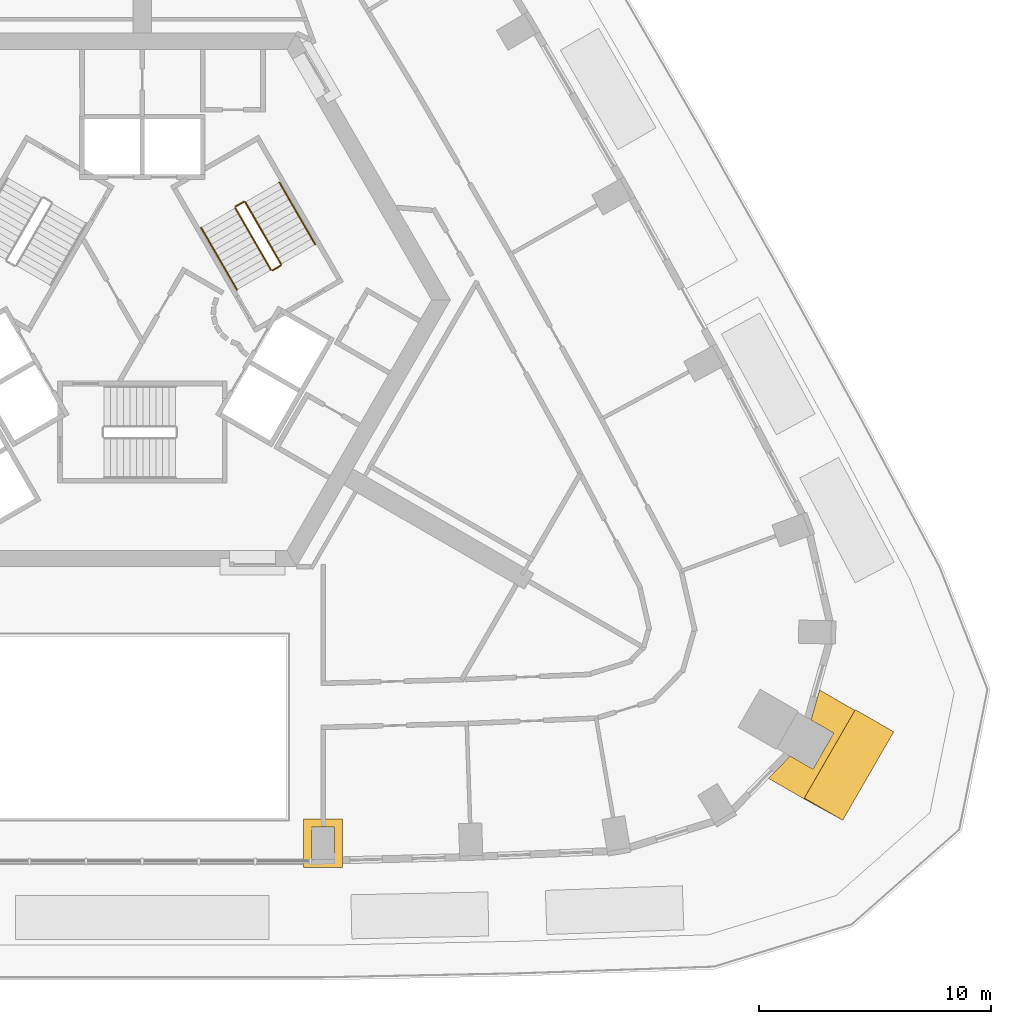
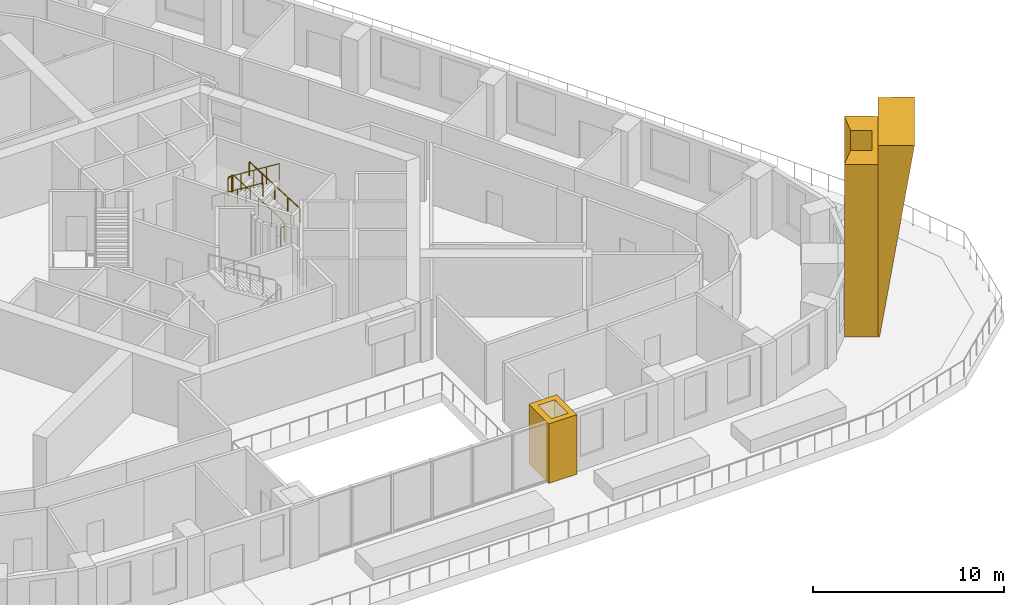
# One storey, part 12 of 13: 6 railings, 3 coverings.
"""IFC4 building model written with IfcOpenShell, lengths in metres."""

import ifcopenshell
import ifcopenshell.guid

model = None  # the IFC model being written
_history = None  # IfcOwnerHistory: only IFC2X3 demands one
_inside = {}  # id of a spatial element -> (the spatial element, [elements in it])
_under = {}  # id of a project, library or spatial element -> (it, [spatial elements below it])
_declared = {}  # id of a project -> (the project, [libraries it declares])
_typed = {}  # id of a type object -> (the type object, [elements of that type])
_made_of = {}  # id of a material, layer set ... -> (it, [elements and type objects made of it])


def new_model(schema):
    """Start an empty IFC model of exactly this schema.

    Asked for "IFC4X3", IfcOpenShell would pick the latest addendum, in which some entities
    have other attributes; the version numbers below select the first issue.
    IFC2X3 requires an IfcOwnerHistory on every rooted entity: one is made here for all.
    """
    global model, _history
    if schema == "IFC4X3":
        model = ifcopenshell.file(schema_version=(4, 3, 0, 0))
    else:
        model = ifcopenshell.file(schema=schema)
    _inside.clear()
    _under.clear()
    _declared.clear()
    _typed.clear()
    _made_of.clear()
    _history = None
    if model.schema == "IFC2X3":
        org = make("IfcOrganization", Name="unknown")
        user = make(
            "IfcPersonAndOrganization",
            ThePerson=make("IfcPerson", FamilyName="unknown"),
            TheOrganization=org,
        )
        app = make(
            "IfcApplication",
            ApplicationDeveloper=org,
            Version="unknown",
            ApplicationFullName="unknown",
            ApplicationIdentifier="unknown",
        )
        _history = make(
            "IfcOwnerHistory",
            OwningUser=user,
            OwningApplication=app,
            ChangeAction="ADDED",
            CreationDate=0,
        )
    return model


def make(cls, **values):
    """One entity of the class cls with the attributes given. An attribute that is None is left unset."""
    return model.create_entity(
        cls, **{name: value for name, value in values.items() if value is not None}
    )


def rooted(cls, **values):
    """An entity with a GlobalId (a new one), such as an element, a storey or a relation."""
    return make(cls, GlobalId=ifcopenshell.guid.new(), OwnerHistory=_history, **values)


def si_unit(unit_type, name, prefix=None):
    """IfcSIUnit, for example si_unit("LENGTHUNIT", "METRE", prefix="MILLI")."""
    return make("IfcSIUnit", UnitType=unit_type, Prefix=prefix, Name=name)


def assignment(units):
    """IfcUnitAssignment: the units of a project."""
    return None if units is None else make("IfcUnitAssignment", Units=units)


def point(xyz):
    """IfcCartesianPoint."""
    return None if xyz is None else make("IfcCartesianPoint", Coordinates=xyz)


def direction(xyz):
    """IfcDirection."""
    return None if xyz is None else make("IfcDirection", DirectionRatios=xyz)


def frame(location, z_axis=None, x_axis=None):
    """IfcAxis2Placement3D, a coordinate frame: its origin and axes. An axis left out is left unset."""
    return make(
        "IfcAxis2Placement3D",
        Location=point(location),
        Axis=direction(z_axis),
        RefDirection=direction(x_axis),
    )


def frame_2d(location, x_axis=None):
    """IfcAxis2Placement2D, a coordinate frame in the plane: its origin and x axis."""
    return make(
        "IfcAxis2Placement2D", Location=point(location), RefDirection=direction(x_axis)
    )


def origin():
    """The frame at (0, 0, 0) with its axes left unset."""
    return frame((0.0, 0.0, 0.0))


def origin_2d():
    """The frame at (0, 0) in the plane with its x axis left unset."""
    return frame_2d((0.0, 0.0))


def place(relative_to, where):
    """IfcLocalPlacement: puts the frame where relative to a parent placement (None: the world)."""
    return make(
        "IfcLocalPlacement", PlacementRelTo=relative_to, RelativePlacement=where
    )


def context(
    kind, dimensions, precision=None, world=None, true_north=None, identifier=None
):
    """IfcGeometricRepresentationContext, for example the 3D "Model" context."""
    return make(
        "IfcGeometricRepresentationContext",
        ContextIdentifier=identifier,
        ContextType=kind,
        CoordinateSpaceDimension=dimensions,
        Precision=precision,
        WorldCoordinateSystem=world,
        TrueNorth=true_north,
    )


def subcontext(parent, identifier, kind, view, scale=None):
    """IfcGeometricRepresentationSubContext, for example "Body" below "Model"."""
    return make(
        "IfcGeometricRepresentationSubContext",
        ContextIdentifier=identifier,
        ContextType=kind,
        ParentContext=parent,
        TargetScale=scale,
        TargetView=view,
    )


def project(units=None, contexts=None):
    """IfcProject with its units and contexts."""
    return rooted(
        "IfcProject",
        Name="project",
        RepresentationContexts=contexts,
        UnitsInContext=assignment(units),
    )


def spatial(cls, under=None, at=None, **own):
    """A site, building, storey or space (cls), placed at a placement, below another one or the project."""
    s = rooted(cls, ObjectPlacement=at, **own)
    if under is not None:
        _under.setdefault(under.id(), (under, []))[1].append(s)
    return s


def polyline(points):
    """IfcPolyline through the points."""
    return make("IfcPolyline", Points=[point(p) for p in points])


def profile(cls, at=None, kind="AREA", **sizes):
    """A parametric profile (cls). Its sizes go by their IFC names, for example OverallWidth=200.0."""
    return make(cls, ProfileType=kind, Position=at, **sizes)


def circle(**sizes):
    """IfcCircleProfileDef."""
    return profile("IfcCircleProfileDef", **sizes)


def outline(outer, holes=None, kind="AREA"):
    """IfcArbitraryClosedProfileDef: a profile drawn as a closed curve; with holes, ...WithVoids."""
    if holes is None:
        return make("IfcArbitraryClosedProfileDef", ProfileType=kind, OuterCurve=outer)
    return make(
        "IfcArbitraryProfileDefWithVoids",
        ProfileType=kind,
        OuterCurve=outer,
        InnerCurves=holes,
    )


def extrude(swept, where, along, depth):
    """IfcExtrudedAreaSolid: the profile swept, set in the frame where, extruded along a direction by depth."""
    return make(
        "IfcExtrudedAreaSolid",
        SweptArea=swept,
        Position=where,
        ExtrudedDirection=direction(along),
        Depth=depth,
    )


def shape(context_of_items, identifier, shape_type, items):
    """IfcShapeRepresentation: the items that make up one representation, for example the "Body"."""
    return make(
        "IfcShapeRepresentation",
        ContextOfItems=context_of_items,
        RepresentationIdentifier=identifier,
        RepresentationType=shape_type,
        Items=items,
    )


def material(Name=None, Category=None):
    """IfcMaterial."""
    return make("IfcMaterial", Name=Name, Category=Category)


def made_of(thing, what):
    """Note that an element or type object is made of a material, layer set ...; save() writes the relation."""
    if what is not None:
        _made_of.setdefault(what.id(), (what, []))[1].append(thing)
    return thing


def type_object(cls, material=None, **own):
    """A type object (cls), such as IfcWallType, which elements share."""
    return made_of(rooted(cls, **own), material)


def element(
    cls,
    number,
    at=None,
    inside=None,
    cuts=None,
    type_object=None,
    material=None,
    context=None,
    identifier="Body",
    shape_type=None,
    held_by="IfcProductDefinitionShape",
    body=None,
    shapes=None,
    **own,
):
    """One element of the class cls, such as IfcWall. Its Tag is "e" and its number.

    at: its placement. inside: the storey or other place that contains it. cuts: it is an
    opening in that element (IfcRelVoidsElement). A single representation is given by context,
    identifier, shape_type and body (its items); several are given by shapes. held_by: the class
    of the entity that holds the representations. save() writes the other relations.
    """
    e = rooted(cls, Tag="e%d" % number, ObjectPlacement=at, **own)
    if body is not None:
        shapes = [shape(context, identifier, shape_type, body)]
    if shapes is not None:
        e.Representation = make(held_by, Representations=shapes)
    if inside is not None:
        _inside.setdefault(inside.id(), (inside, []))[1].append(e)
    if cuts is not None:
        rooted(
            "IfcRelVoidsElement", RelatingBuildingElement=cuts, RelatedOpeningElement=e
        )
    if type_object is not None:
        _typed.setdefault(type_object.id(), (type_object, []))[1].append(e)
    return made_of(e, material)


def aggregate(whole, parts):
    """IfcRelAggregates: a whole, such as a stair, and the parts it consists of."""
    return rooted("IfcRelAggregates", RelatingObject=whole, RelatedObjects=parts)


def save(model, path):
    """Write the relations noted so far, then the file.

    IfcRelAggregates (storeys below a building ...), IfcRelContainedInSpatialStructure (elements
    in a storey), IfcRelDefinesByType, IfcRelAssociatesMaterial and IfcRelDeclares: one each for
    every whole, place, type object, material and project.
    """
    for whole, parts in _under.values():
        aggregate(whole, parts)
    for where, things in _inside.values():
        rooted(
            "IfcRelContainedInSpatialStructure",
            RelatedElements=things,
            RelatingStructure=where,
        )
    for kind, things in _typed.values():
        rooted("IfcRelDefinesByType", RelatedObjects=things, RelatingType=kind)
    for what, things in _made_of.values():
        rooted("IfcRelAssociatesMaterial", RelatedObjects=things, RelatingMaterial=what)
    for by, libraries in _declared.values():
        rooted("IfcRelDeclares", RelatingContext=by, RelatedDefinitions=libraries)
    model.write(path)


model = new_model("IFC4")

# Units and contexts
model_context = context("Model", 3, precision=1e-05, world=origin(), true_north=direction((0.0, 1.0)))
body_context = subcontext(model_context, "Body", "Model", "MODEL_VIEW")
ifc_project = project(units=[si_unit("LENGTHUNIT", "METRE"), si_unit("AREAUNIT", "SQUARE_METRE"), si_unit("VOLUMEUNIT", "CUBIC_METRE"), si_unit("PLANEANGLEUNIT", "RADIAN"), si_unit("MASSUNIT", "GRAM", prefix="KILO")], contexts=[model_context])

# Site, building, storey
site_placement = place(None, origin())
site = spatial("IfcSite", under=ifc_project, at=site_placement, CompositionType="ELEMENT")
building_placement = place(site_placement, origin())
building = spatial("IfcBuilding", under=site, at=building_placement, Name="Entoto Arch Interchange Tower", CompositionType="ELEMENT")
storey_placement = place(building_placement, frame((0.0, 0.0, 189.800048828125)))
storey = spatial("IfcBuildingStorey", under=building, at=storey_placement, Name="L42", CompositionType="ELEMENT", Elevation=189.800048828125)

# Coverings
ifc_material_1 = material(Name="Board-marked precast concrete C50/60", Category="concrete")
covering_type = type_object("IfcCoveringType", Name="PRECAST FRAME COURSE", PredefinedType="CLADDING", material=ifc_material_1)
covering_1_placement = place(storey_placement, origin())
element("IfcCovering", 1, at=covering_1_placement, inside=storey, type_object=covering_type, Name="Corner pilaster SE L42-L44", PredefinedType="CLADDING", context=body_context, shape_type="SweptSolid", body=[
    extrude(outline(polyline([(30.718017578125, -15.195068359375), (28.51806640625, -19.0048828125), (26.993896484375, -18.125), (27.929931640625, -17.1650390625), (28.907958984375, -17.72900390625), (29.80810546875, -16.1708984375), (28.830078125, -15.60595703125), (29.194091796875, -14.31396484375), (30.718017578125, -15.195068359375)])), origin(), (0.0, 0.0, 1.0), 11.0),
])
covering_2_placement = place(storey_placement, frame((28.51806640625, -19.0048828125, 0.0), z_axis=(-0.499864614325, -0.866098429654, 0.002979512909), x_axis=(0.866102264773, -0.499866849187, -6.232716e-06)))
element("IfcCovering", 2, at=covering_2_placement, inside=storey, type_object=covering_type, Name="Corner rib SE L42-L44", PredefinedType="CLADDING", context=body_context, shape_type="SweptSolid", body=[
    extrude(outline(polyline([(0.0, 0.0), (0.09002978260795885, 0.0), (1.911543382908037, 12.200017239149007), (0.0010403561008787202, 12.20000477034024), (0.0, 0.0)])), origin(), (0.0, 0.0, -1.0), 4.39990234375),
])
covering_3_placement = place(storey_placement, origin())
element("IfcCovering", 3, at=covering_3_placement, inside=storey, type_object=covering_type, Name="Gate pier L42", PredefinedType="CLADDING", context=body_context, shape_type="SweptSolid", body=[
    extrude(outline(polyline([(6.93798828125, -19.876953125), (8.637939453125, -19.876953125), (8.637939453125, -21.97705078125), (6.93798828125, -21.97705078125), (6.93798828125, -19.876953125)]), holes=[polyline([(7.2880859375, -20.22705078125), (7.2880859375, -21.626953125), (8.2880859375, -21.626953125), (8.2880859375, -20.22705078125), (7.2880859375, -20.22705078125)])]), origin(), (0.0, 0.0, 1.0), 3.800048828125),
])

# Railings
ifc_material_2 = material(Name="Stainless steel 1.4301", Category="steel")
railing_type_1 = type_object("IfcRailingType", Name="STAIR GUARD 1100 STEEL", PredefinedType="GUARDRAIL", material=ifc_material_2)
railing_1_placement = place(storey_placement, frame((5.977783203125, 4.046142578125, 0.175048828125)))
element("IfcRailing", 4, at=railing_1_placement, inside=storey, type_object=railing_type_1, Name="L42 ST-NE stair guard 1", PredefinedType="GUARDRAIL", context=body_context, shape_type="SweptSolid", body=[
    extrude(circle(Radius=0.02392578125, at=origin_2d()), frame((0.0, 0.0, 1.076171875), z_axis=(-0.42403051051, 0.734390191396, 0.529970917068), x_axis=(-0.866010015463, -0.500026652407, 0.0)), (0.0, 0.0, 1.0), 3.6318359375),
    extrude(circle(Radius=0.02099609375, at=origin_2d()), origin(), (0.0, 0.0, 1.0), 1.052001953125),
    extrude(circle(Radius=0.02099609375, at=origin_2d()), frame((-0.385009765625, 0.666748046875, 0.481201171875)), (0.0, 0.0, 1.0), 1.052001953125),
    extrude(circle(Radius=0.02099609375, at=origin_2d()), frame((-0.77001953125, 1.33349609375, 0.96240234375)), (0.0, 0.0, 1.0), 1.052001953125),
    extrude(circle(Radius=0.02099609375, at=origin_2d()), frame((-1.155029296875, 2.00048828125, 1.443603515625)), (0.0, 0.0, 1.0), 1.052001953125),
    extrude(circle(Radius=0.02099609375, at=origin_2d()), frame((-1.5400390625, 2.667236328125, 1.9248046875)), (0.0, 0.0, 1.0), 1.052001953125),
])
railing_2_placement = place(storey_placement, frame((4.36962890625, 6.731689453125, 2.099853515625)))
element("IfcRailing", 5, at=railing_2_placement, inside=storey, type_object=railing_type_1, Name="L42 ST-NE stair guard 2", PredefinedType="GUARDRAIL", context=body_context, shape_type="SweptSolid", body=[
    extrude(circle(Radius=0.02392578125, at=origin_2d()), frame((0.0, 0.0, 1.076171875), z_axis=(-0.866094119867, -0.499880961361, 0.0), x_axis=(0.499880961361, -0.866094119867, 0.0)), (0.0, 0.0, 1.0), 0.39990234375),
    extrude(circle(Radius=0.02099609375, at=origin_2d()), origin(), (0.0, 0.0, 1.0), 1.052001953125),
    extrude(circle(Radius=0.02099609375, at=origin_2d()), frame((-0.346435546875, -0.199951171875, 0.0)), (0.0, 0.0, 1.0), 1.052001953125),
])
railing_3_placement = place(storey_placement, frame((4.0048828125, 6.46337890625, 2.27490234375)))
element("IfcRailing", 6, at=railing_3_placement, inside=storey, type_object=railing_type_1, Name="L42 ST-NE stair guard 3", PredefinedType="GUARDRAIL", context=body_context, shape_type="SweptSolid", body=[
    extrude(circle(Radius=0.02392578125, at=origin_2d()), frame((0.0, 0.0, 1.076171875), z_axis=(0.424015404183, -0.734364028329, 0.530019255228), x_axis=(0.866010015463, 0.500026652407, 0.0)), (0.0, 0.0, 1.0), 3.632080078125),
    extrude(circle(Radius=0.02099609375, at=origin_2d()), origin(), (0.0, 0.0, 1.0), 1.052001953125),
    extrude(circle(Radius=0.02099609375, at=origin_2d()), frame((0.385009765625, -0.666748046875, 0.481201171875)), (0.0, 0.0, 1.0), 1.052001953125),
    extrude(circle(Radius=0.02099609375, at=origin_2d()), frame((0.77001953125, -1.33349609375, 0.96240234375)), (0.0, 0.0, 1.0), 1.052001953125),
    extrude(circle(Radius=0.02099609375, at=origin_2d()), frame((1.155029296875, -2.00048828125, 1.44384765625)), (0.0, 0.0, 1.0), 1.052001953125),
    extrude(circle(Radius=0.02099609375, at=origin_2d()), frame((1.5400390625, -2.667236328125, 1.925048828125)), (0.0, 0.0, 1.0), 1.052001953125),
])
railing_4_placement = place(storey_placement, frame((5.95947265625, 3.977783203125, 0.0)))
element("IfcRailing", 7, at=railing_4_placement, inside=storey, type_object=railing_type_1, Name="L42 ST-NE stair guard 4", PredefinedType="GUARDRAIL", context=body_context, shape_type="SweptSolid", body=[
    extrude(circle(Radius=0.02392578125, at=origin_2d()), frame((0.0, 0.0, 1.076171875), z_axis=(-0.866094119867, -0.499880961361, 0.0), x_axis=(0.499880961361, -0.866094119867, 0.0)), (0.0, 0.0, 1.0), 0.39990234375),
    extrude(circle(Radius=0.02099609375, at=origin_2d()), origin(), (0.0, 0.0, 1.0), 1.052001953125),
    extrude(circle(Radius=0.02099609375, at=origin_2d()), frame((-0.346435546875, -0.199951171875, 0.0)), (0.0, 0.0, 1.0), 1.052001953125),
])
railing_type_2 = type_object("IfcRailingType", Name="STAIR HANDRAIL 900 STEEL", PredefinedType="HANDRAIL", material=ifc_material_2)
railing_5_placement = place(storey_placement, frame((7.4501953125, 4.89599609375, 0.175048828125)))
element("IfcRailing", 8, at=railing_5_placement, inside=storey, type_object=railing_type_2, Name="L42 ST-NE stair handrail 1", PredefinedType="HANDRAIL", context=body_context, shape_type="SweptSolid", body=[
    extrude(circle(Radius=0.02392578125, at=origin_2d()), frame((0.0, 0.0, 0.8759765625), z_axis=(-0.424009578203, 0.734421155904, 0.529944755001), x_axis=(-0.866029832698, -0.499992328818, 0.0)), (0.0, 0.0, 1.0), 3.632080078125),
    extrude(circle(Radius=0.02099609375, at=origin_2d()), origin(), (0.0, 0.0, 1.0), 0.851806640625),
    extrude(circle(Radius=0.02099609375, at=origin_2d()), frame((-0.385009765625, 0.6669921875, 0.481201171875)), (0.0, 0.0, 1.0), 0.851806640625),
    extrude(circle(Radius=0.02099609375, at=origin_2d()), frame((-0.77001953125, 1.333740234375, 0.96240234375)), (0.0, 0.0, 1.0), 0.851806640625),
    extrude(circle(Radius=0.02099609375, at=origin_2d()), frame((-1.155029296875, 2.00048828125, 1.443603515625)), (0.0, 0.0, 1.0), 0.851806640625),
    extrude(circle(Radius=0.02099609375, at=origin_2d()), frame((-1.5400390625, 2.66748046875, 1.9248046875)), (0.0, 0.0, 1.0), 0.851806640625),
])
railing_6_placement = place(storey_placement, frame((2.53271484375, 5.613525390625, 2.27490234375)))
element("IfcRailing", 9, at=railing_6_placement, inside=storey, type_object=railing_type_2, Name="L42 ST-NE stair handrail 2", PredefinedType="HANDRAIL", context=body_context, shape_type="SweptSolid", body=[
    extrude(circle(Radius=0.02392578125, at=origin_2d()), frame((0.0, 0.0, 0.8759765625), z_axis=(0.423939339791, -0.734415923031, 0.53000819633), x_axis=(0.866064153644, 0.499932877268, 0.0)), (0.0, 0.0, 1.0), 3.632080078125),
    extrude(circle(Radius=0.02099609375, at=origin_2d()), origin(), (0.0, 0.0, 1.0), 0.851806640625),
    extrude(circle(Radius=0.02099609375, at=origin_2d()), frame((0.385009765625, -0.6669921875, 0.481201171875)), (0.0, 0.0, 1.0), 0.851806640625),
    extrude(circle(Radius=0.02099609375, at=origin_2d()), frame((0.77001953125, -1.333740234375, 0.96240234375)), (0.0, 0.0, 1.0), 0.851806640625),
    extrude(circle(Radius=0.02099609375, at=origin_2d()), frame((1.15478515625, -2.00048828125, 1.44384765625)), (0.0, 0.0, 1.0), 0.851806640625),
    extrude(circle(Radius=0.02099609375, at=origin_2d()), frame((1.539794921875, -2.66748046875, 1.925048828125)), (0.0, 0.0, 1.0), 0.851806640625),
])

save(model, "model.ifc")
